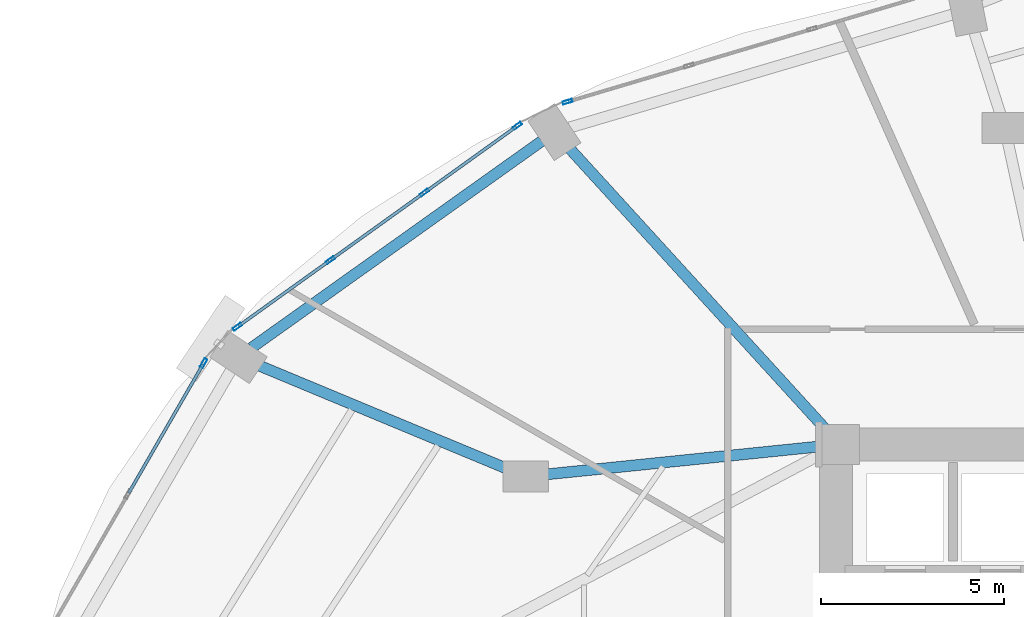
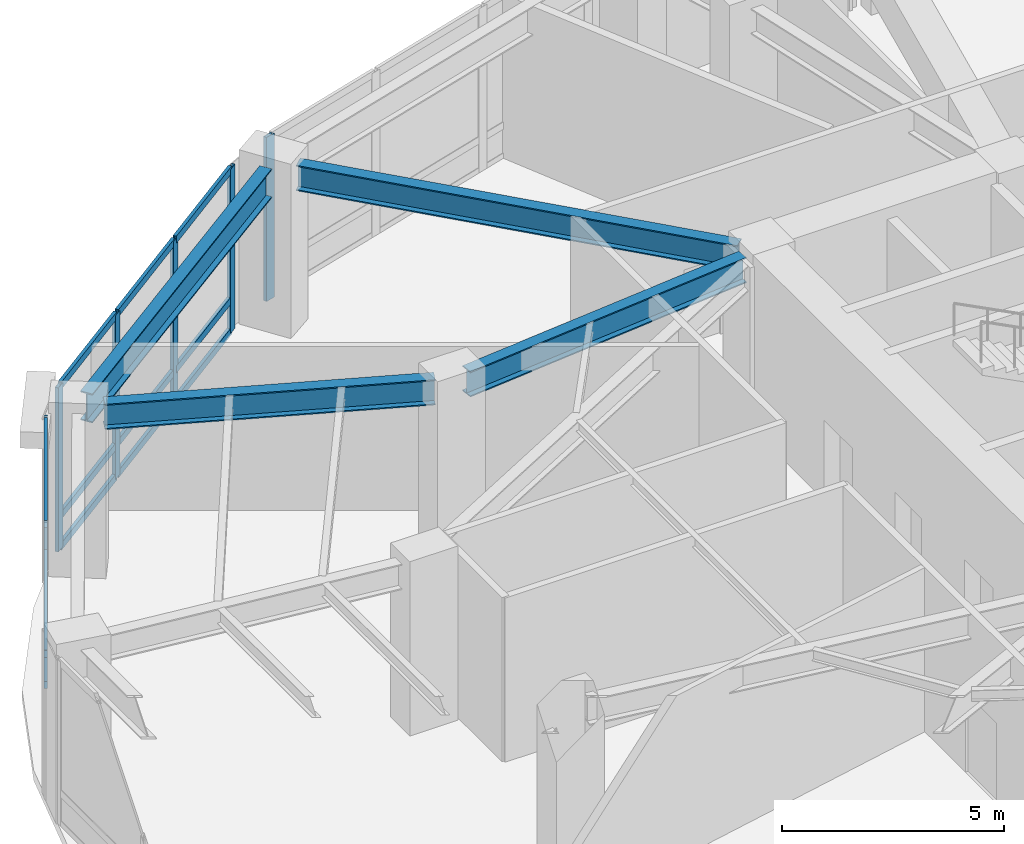
# One storey, part 13 of 24: 18 members, 4 beams, 3 elements without a shape of their own.
"""IFC4 building model written with IfcOpenShell, lengths in metres."""

from ifc_helpers import new_model, si_unit, direction, frame, origin, origin_2d, place, context, subcontext, project, spatial, hollow_rectangle, i_section, extrude, material, layer, layer_set, material_profile, profile_set, type_object, element, aggregate, save


model = new_model("IFC4")

# Units and contexts
model_context = context("Model", 3, precision=1e-05, world=origin(), true_north=direction((0.0, 1.0)))
body_context = subcontext(model_context, "Body", "Model", "MODEL_VIEW")
ifc_project = project(units=[si_unit("LENGTHUNIT", "METRE"), si_unit("AREAUNIT", "SQUARE_METRE"), si_unit("VOLUMEUNIT", "CUBIC_METRE"), si_unit("PLANEANGLEUNIT", "RADIAN"), si_unit("MASSUNIT", "GRAM", prefix="KILO")], contexts=[model_context])

# Site, building, storey
site_placement = place(None, origin())
site = spatial("IfcSite", under=ifc_project, at=site_placement, CompositionType="ELEMENT")
building_placement = place(site_placement, origin())
building = spatial("IfcBuilding", under=site, at=building_placement, Name="Lazwardi Medical Tower", CompositionType="ELEMENT")
storey_placement = place(building_placement, frame((0.0, 0.0, 6.0)))
storey = spatial("IfcBuildingStorey", under=building, at=storey_placement, Name="L01", CompositionType="ELEMENT", Elevation=6.0)

# Beams
ifc_material_1 = material(Name="Steel S355", Category="steel")
ifc_material_profile_1 = material_profile(ifc_material_1, i_section(OverallWidth=0.300048828125, OverallDepth=0.800048828125, WebThickness=0.017578125, FlangeThickness=0.032958984375, at=origin_2d()), Name="HEB 800")
ifc_profile_set_1 = profile_set([ifc_material_profile_1], Name="Steel S355")
beam_type_1 = type_object("IfcBeamType", Name="BM-RB-P1", PredefinedType="BEAM", material=ifc_profile_set_1)
beam_1_placement = place(storey_placement, frame((18.260498046875, 43.892333984375, 4.1201171875), z_axis=(-0.814437186887, -0.580251728663, 0.0), x_axis=(0.580251728663, -0.814437186887, 0.0)))
element("IfcBeam", 1, at=beam_1_placement, inside=storey, type_object=beam_type_1, Name="Ring beam RB-01 B10 L01", PredefinedType="BEAM", context=body_context, shape_type="SweptSolid", body=[
    extrude(i_section(OverallWidth=0.300048828125, OverallDepth=0.800048828125, WebThickness=0.017578125, FlangeThickness=0.032958984375, at=origin_2d()), origin(), (0.0, 0.0, 1.0), 9.743408203125),
])
ifc_material_profile_2 = material_profile(ifc_material_1, i_section(OverallWidth=0.300048828125, OverallDepth=0.699951171875, WebThickness=0.01708984375, FlangeThickness=0.031982421875, at=origin_2d()), Name="HEB 700")
ifc_profile_set_2 = profile_set([ifc_material_profile_2], Name="Steel S355")
beam_type_2 = type_object("IfcBeamType", Name="BM-RG-P1", PredefinedType="BEAM", material=ifc_profile_set_2)
beam_2_placement = place(storey_placement, frame((19.00146484375, 43.713134765625, 4.169921875), z_axis=(0.67382142595, -0.738894231897, 0.0), x_axis=(0.738894231897, 0.67382142595, 0.0)))
element("IfcBeam", 2, at=beam_2_placement, inside=storey, type_object=beam_type_2, Name="Radial girder RG-01 R10 L01", PredefinedType="BEAM", context=body_context, shape_type="SweptSolid", body=[
    extrude(i_section(OverallWidth=0.300048828125, OverallDepth=0.699951171875, WebThickness=0.01708984375, FlangeThickness=0.031982421875, at=origin_2d()), origin(), (0.0, 0.0, 1.0), 10.445068359375),
])
beam_3_placement = place(storey_placement, frame((10.510498046875, 37.766357421875, 4.169921875), z_axis=(0.923279462658, -0.38412892866, 0.0), x_axis=(0.38412892866, 0.923279462658, 0.0)))
element("IfcBeam", 3, at=beam_3_placement, inside=storey, type_object=beam_type_2, Name="Radial girder RG-01 R11A L01", PredefinedType="BEAM", context=body_context, shape_type="SweptSolid", body=[
    extrude(i_section(OverallWidth=0.300048828125, OverallDepth=0.699951171875, WebThickness=0.01708984375, FlangeThickness=0.031982421875, at=origin_2d()), origin(), (0.0, 0.0, 1.0), 7.52001953125),
])
beam_4_placement = place(storey_placement, frame((18.220947265625, 34.7646484375, 4.169921875), z_axis=(0.994824908551, 0.101604140299, 0.0), x_axis=(-0.101604140299, 0.994824908551, 0.0)))
element("IfcBeam", 4, at=beam_4_placement, inside=storey, type_object=beam_type_2, Name="Radial girder RG-01 R11B L01", PredefinedType="BEAM", context=body_context, shape_type="SweptSolid", body=[
    extrude(i_section(OverallWidth=0.300048828125, OverallDepth=0.699951171875, WebThickness=0.01708984375, FlangeThickness=0.031982421875, at=origin_2d()), origin(), (0.0, 0.0, 1.0), 7.686767578125),
])

# Curtain wall, member
ifc_material_2 = material(Name="Anodised bronze aluminium and solar control glazing", Category="aluminium")
ifc_layer = layer(ifc_material_2, 0.219970703125)
ifc_layer_set = layer_set([ifc_layer], Name="Anodised bronze aluminium and solar control glazing")
curtain_wall_type = type_object("IfcCurtainWallType", Name="CW-SYS-01", PredefinedType="NOTDEFINED", material=ifc_layer_set)
curtain_wall_1_placement = place(storey_placement, origin())
curtain_wall_1 = element("IfcCurtainWall", 5, at=curtain_wall_1_placement, inside=storey, type_object=curtain_wall_type, Name="L01 Unitised bronze curtain wall CW-01", PredefinedType="NOTDEFINED")
ifc_material_3 = material(Name="Anodised bronze aluminium", Category="aluminium")
ifc_material_profile_3 = material_profile(ifc_material_3, hollow_rectangle(XDim=0.0849609375, YDim=0.260009765625, WallThickness=0.0048828125, at=origin_2d()), Name="ALU-MULLION 260x85x5")
ifc_profile_set_3 = profile_set([ifc_material_profile_3], Name="Anodised bronze aluminium")
member_type_1 = type_object("IfcMemberType", Name="CW-MUL-02", PredefinedType="MULLION", material=ifc_profile_set_3)
member_1_placement = place(storey_placement, frame((18.966064453125, 44.96630859375, 0.0), z_axis=(0.0, 0.0, 1.0), x_axis=(0.285047195531, -0.958513482597, 0.0)))
member_1 = element("IfcMember", 6, at=member_1_placement, type_object=member_type_1, Name="CW-01 mullion 4", PredefinedType="MULLION", context=body_context, shape_type="SweptSolid", body=[
    extrude(hollow_rectangle(XDim=0.0849609375, YDim=0.260009765625, WallThickness=0.0048828125, at=origin_2d()), origin(), (0.0, 0.0, 1.0), 4.52001953125),
])
aggregate(curtain_wall_1, [member_1])

# Curtain wall, members
curtain_wall_2_placement = place(storey_placement, origin())
curtain_wall_2 = element("IfcCurtainWall", 7, at=curtain_wall_2_placement, inside=storey, type_object=curtain_wall_type, Name="L01 Unitised bronze curtain wall CW-01", PredefinedType="NOTDEFINED")
member_2_placement = place(storey_placement, frame((17.59423828125, 44.3076171875, 0.0), z_axis=(0.0, 0.0, 1.0), x_axis=(0.583214260584, -0.812318365083, 0.0)))
member_2 = element("IfcMember", 8, at=member_2_placement, type_object=member_type_1, Name="CW-01 mullion 1", PredefinedType="MULLION", context=body_context, shape_type="SweptSolid", body=[
    extrude(hollow_rectangle(XDim=0.0849609375, YDim=0.260009765625, WallThickness=0.0048828125, at=origin_2d()), origin(), (0.0, 0.0, 1.0), 4.52001953125),
])
member_3_placement = place(storey_placement, frame((15.055419921875, 42.48486328125, 0.0), z_axis=(0.0, 0.0, 1.0), x_axis=(0.583214260584, -0.812318365083, 0.0)))
member_3 = element("IfcMember", 9, at=member_3_placement, type_object=member_type_1, Name="CW-01 mullion 2", PredefinedType="MULLION", context=body_context, shape_type="SweptSolid", body=[
    extrude(hollow_rectangle(XDim=0.0849609375, YDim=0.260009765625, WallThickness=0.0048828125, at=origin_2d()), origin(), (0.0, 0.0, 1.0), 4.52001953125),
])
member_4_placement = place(storey_placement, frame((12.482177734375, 40.63720703125, 0.0), z_axis=(0.0, 0.0, 1.0), x_axis=(0.583214260584, -0.812318365083, 0.0)))
member_4 = element("IfcMember", 10, at=member_4_placement, type_object=member_type_1, Name="CW-01 mullion 3", PredefinedType="MULLION", context=body_context, shape_type="SweptSolid", body=[
    extrude(hollow_rectangle(XDim=0.0849609375, YDim=0.260009765625, WallThickness=0.0048828125, at=origin_2d()), origin(), (0.0, 0.0, 1.0), 4.52001953125),
])
member_5_placement = place(storey_placement, frame((9.943359375, 38.814453125, 0.0), z_axis=(0.0, 0.0, 1.0), x_axis=(0.583214260584, -0.812318365083, 0.0)))
member_5 = element("IfcMember", 11, at=member_5_placement, type_object=member_type_1, Name="CW-01 mullion 4", PredefinedType="MULLION", context=body_context, shape_type="SweptSolid", body=[
    extrude(hollow_rectangle(XDim=0.0849609375, YDim=0.260009765625, WallThickness=0.0048828125, at=origin_2d()), origin(), (0.0, 0.0, 1.0), 4.52001953125),
])

# Curtain wall, member
curtain_wall_3_placement = place(storey_placement, origin())
curtain_wall_3 = element("IfcCurtainWall", 12, at=curtain_wall_3_placement, inside=storey, type_object=curtain_wall_type, Name="L01 Unitised bronze curtain wall CW-01", PredefinedType="NOTDEFINED")
member_6_placement = place(storey_placement, frame((9.021240234375, 37.822021484375, 0.0), z_axis=(0.0, 0.0, 1.0), x_axis=(0.866180607783, -0.499731082384, 0.0)))
member_6 = element("IfcMember", 13, at=member_6_placement, type_object=member_type_1, Name="CW-01 mullion 1", PredefinedType="MULLION", context=body_context, shape_type="SweptSolid", body=[
    extrude(hollow_rectangle(XDim=0.0849609375, YDim=0.260009765625, WallThickness=0.0048828125, at=origin_2d()), origin(), (0.0, 0.0, 1.0), 4.52001953125),
])

# Member
ifc_material_profile_4 = material_profile(ifc_material_3, hollow_rectangle(XDim=0.0849609375, YDim=0.199951171875, WallThickness=0.00439453125, at=origin_2d()), Name="ALU-TRANSOM 200x85x4.5")
ifc_profile_set_4 = profile_set([ifc_material_profile_4], Name="Anodised bronze aluminium")
member_type_2 = type_object("IfcMemberType", Name="CW-TRN-02", PredefinedType="USERDEFINED", material=ifc_profile_set_4)
member_7_placement = place(storey_placement, frame((17.559814453125, 44.28271484375, 0.04248046875), z_axis=(-0.812314954496, -0.583219010924, 0.0), x_axis=(0.583219010924, -0.812314954496, 0.0)))
member_7 = element("IfcMember", 14, at=member_7_placement, type_object=member_type_2, Name="CW-01 transom 1.1", ObjectType="TRANSOM", PredefinedType="USERDEFINED", context=body_context, shape_type="SweptSolid", body=[
    extrude(hollow_rectangle(XDim=0.0849609375, YDim=0.199951171875, WallThickness=0.00439453125, at=origin_2d()), origin(), (0.0, 0.0, 1.0), 3.040283203125),
])

member_8_placement = place(storey_placement, frame((17.559814453125, 44.28271484375, 0.89990234375), z_axis=(-0.812314954496, -0.583219010924, 0.0), x_axis=(0.583219010924, -0.812314954496, 0.0)))
member_8 = element("IfcMember", 15, at=member_8_placement, type_object=member_type_2, Name="CW-01 transom 1.2", ObjectType="TRANSOM", PredefinedType="USERDEFINED", context=body_context, shape_type="SweptSolid", body=[
    extrude(hollow_rectangle(XDim=0.0849609375, YDim=0.199951171875, WallThickness=0.00439453125, at=origin_2d()), origin(), (0.0, 0.0, 1.0), 3.040283203125),
])

member_9_placement = place(storey_placement, frame((17.559814453125, 44.28271484375, 4.4775390625), z_axis=(-0.812314954496, -0.583219010924, 0.0), x_axis=(0.583219010924, -0.812314954496, 0.0)))
member_9 = element("IfcMember", 16, at=member_9_placement, type_object=member_type_2, Name="CW-01 transom 1.3", ObjectType="TRANSOM", PredefinedType="USERDEFINED", context=body_context, shape_type="SweptSolid", body=[
    extrude(hollow_rectangle(XDim=0.0849609375, YDim=0.199951171875, WallThickness=0.00439453125, at=origin_2d()), origin(), (0.0, 0.0, 1.0), 3.040283203125),
])

member_10_placement = place(storey_placement, frame((15.02099609375, 42.4599609375, 0.04248046875), z_axis=(-0.812350668283, -0.583169265085, 0.0), x_axis=(0.583169265085, -0.812350668283, 0.0)))
member_10 = element("IfcMember", 17, at=member_10_placement, type_object=member_type_2, Name="CW-01 transom 2.1", ObjectType="TRANSOM", PredefinedType="USERDEFINED", context=body_context, shape_type="SweptSolid", body=[
    extrude(hollow_rectangle(XDim=0.0849609375, YDim=0.199951171875, WallThickness=0.00439453125, at=origin_2d()), origin(), (0.0, 0.0, 1.0), 3.0830078125),
])

member_11_placement = place(storey_placement, frame((15.02099609375, 42.4599609375, 0.89990234375), z_axis=(-0.812350668283, -0.583169265085, 0.0), x_axis=(0.583169265085, -0.812350668283, 0.0)))
member_11 = element("IfcMember", 18, at=member_11_placement, type_object=member_type_2, Name="CW-01 transom 2.2", ObjectType="TRANSOM", PredefinedType="USERDEFINED", context=body_context, shape_type="SweptSolid", body=[
    extrude(hollow_rectangle(XDim=0.0849609375, YDim=0.199951171875, WallThickness=0.00439453125, at=origin_2d()), origin(), (0.0, 0.0, 1.0), 3.0830078125),
])

member_12_placement = place(storey_placement, frame((15.02099609375, 42.4599609375, 4.4775390625), z_axis=(-0.812350668283, -0.583169265085, 0.0), x_axis=(0.583169265085, -0.812350668283, 0.0)))
member_12 = element("IfcMember", 19, at=member_12_placement, type_object=member_type_2, Name="CW-01 transom 2.3", ObjectType="TRANSOM", PredefinedType="USERDEFINED", context=body_context, shape_type="SweptSolid", body=[
    extrude(hollow_rectangle(XDim=0.0849609375, YDim=0.199951171875, WallThickness=0.00439453125, at=origin_2d()), origin(), (0.0, 0.0, 1.0), 3.0830078125),
])

member_13_placement = place(storey_placement, frame((12.44775390625, 40.612548828125, 0.04248046875), z_axis=(-0.812314954496, -0.583219010924, 0.0), x_axis=(0.583219010924, -0.812314954496, 0.0)))
member_13 = element("IfcMember", 20, at=member_13_placement, type_object=member_type_2, Name="CW-01 transom 3.1", ObjectType="TRANSOM", PredefinedType="USERDEFINED", context=body_context, shape_type="SweptSolid", body=[
    extrude(hollow_rectangle(XDim=0.0849609375, YDim=0.199951171875, WallThickness=0.00439453125, at=origin_2d()), origin(), (0.0, 0.0, 1.0), 3.040283203125),
])

member_14_placement = place(storey_placement, frame((12.44775390625, 40.612548828125, 0.89990234375), z_axis=(-0.812314954496, -0.583219010924, 0.0), x_axis=(0.583219010924, -0.812314954496, 0.0)))
member_14 = element("IfcMember", 21, at=member_14_placement, type_object=member_type_2, Name="CW-01 transom 3.2", ObjectType="TRANSOM", PredefinedType="USERDEFINED", context=body_context, shape_type="SweptSolid", body=[
    extrude(hollow_rectangle(XDim=0.0849609375, YDim=0.199951171875, WallThickness=0.00439453125, at=origin_2d()), origin(), (0.0, 0.0, 1.0), 3.040283203125),
])

member_15_placement = place(storey_placement, frame((12.44775390625, 40.612548828125, 4.4775390625), z_axis=(-0.812314954496, -0.583219010924, 0.0), x_axis=(0.583219010924, -0.812314954496, 0.0)))
member_15 = element("IfcMember", 22, at=member_15_placement, type_object=member_type_2, Name="CW-01 transom 3.3", ObjectType="TRANSOM", PredefinedType="USERDEFINED", context=body_context, shape_type="SweptSolid", body=[
    extrude(hollow_rectangle(XDim=0.0849609375, YDim=0.199951171875, WallThickness=0.00439453125, at=origin_2d()), origin(), (0.0, 0.0, 1.0), 3.040283203125),
])

aggregate(curtain_wall_2, [member_2, member_3, member_4, member_5, member_7, member_8, member_9, member_10, member_11, member_12, member_13, member_14, member_15])

member_16_placement = place(storey_placement, frame((9.000244140625, 37.78515625, 0.04248046875), z_axis=(-0.499767651026, -0.866159508975, 0.0), x_axis=(0.866159508975, -0.499767651026, 0.0)))
member_16 = element("IfcMember", 23, at=member_16_placement, type_object=member_type_2, Name="CW-01 transom 1.1", ObjectType="TRANSOM", PredefinedType="USERDEFINED", context=body_context, shape_type="SweptSolid", body=[
    extrude(hollow_rectangle(XDim=0.0849609375, YDim=0.199951171875, WallThickness=0.00439453125, at=origin_2d()), origin(), (0.0, 0.0, 1.0), 4.052734375),
])

member_17_placement = place(storey_placement, frame((9.000244140625, 37.78515625, 0.89990234375), z_axis=(-0.499767651026, -0.866159508975, 0.0), x_axis=(0.866159508975, -0.499767651026, 0.0)))
member_17 = element("IfcMember", 24, at=member_17_placement, type_object=member_type_2, Name="CW-01 transom 1.2", ObjectType="TRANSOM", PredefinedType="USERDEFINED", context=body_context, shape_type="SweptSolid", body=[
    extrude(hollow_rectangle(XDim=0.0849609375, YDim=0.199951171875, WallThickness=0.00439453125, at=origin_2d()), origin(), (0.0, 0.0, 1.0), 4.052734375),
])

member_18_placement = place(storey_placement, frame((9.000244140625, 37.78515625, 4.4775390625), z_axis=(-0.499767651026, -0.866159508975, 0.0), x_axis=(0.866159508975, -0.499767651026, 0.0)))
member_18 = element("IfcMember", 25, at=member_18_placement, type_object=member_type_2, Name="CW-01 transom 1.3", ObjectType="TRANSOM", PredefinedType="USERDEFINED", context=body_context, shape_type="SweptSolid", body=[
    extrude(hollow_rectangle(XDim=0.0849609375, YDim=0.199951171875, WallThickness=0.00439453125, at=origin_2d()), origin(), (0.0, 0.0, 1.0), 4.052734375),
])

aggregate(curtain_wall_3, [member_6, member_16, member_17, member_18])

save(model, "model.ifc")
